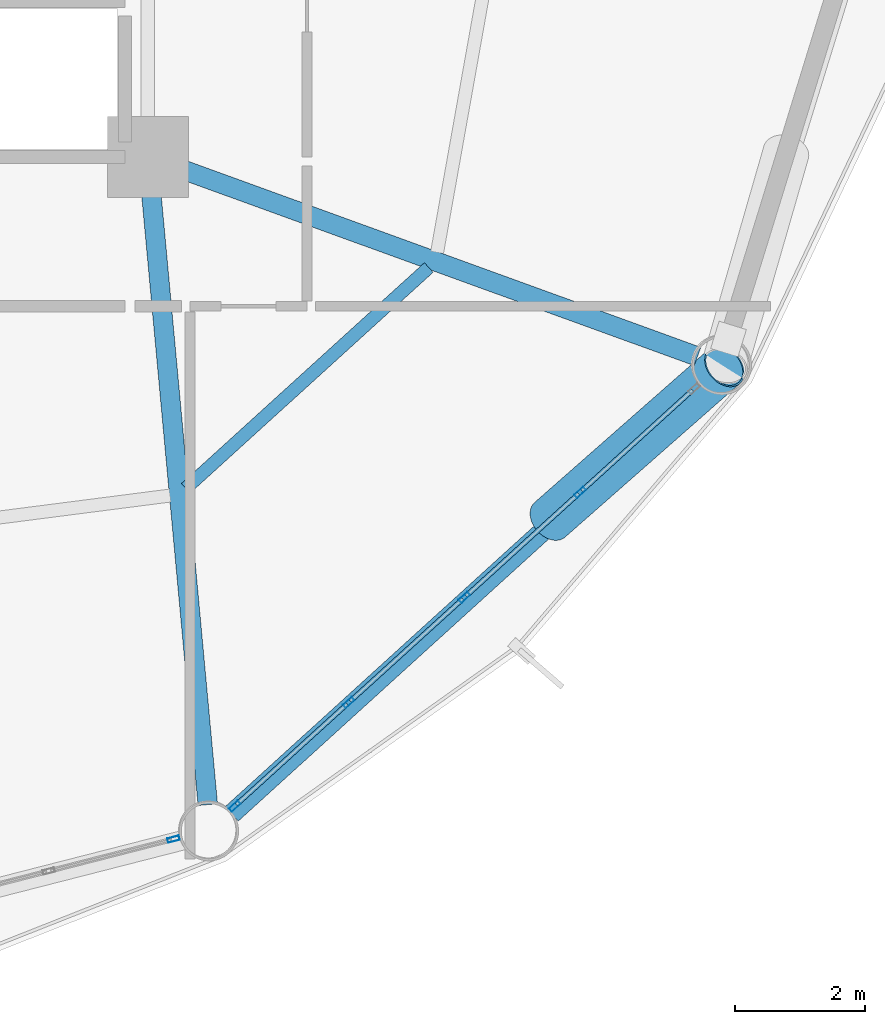
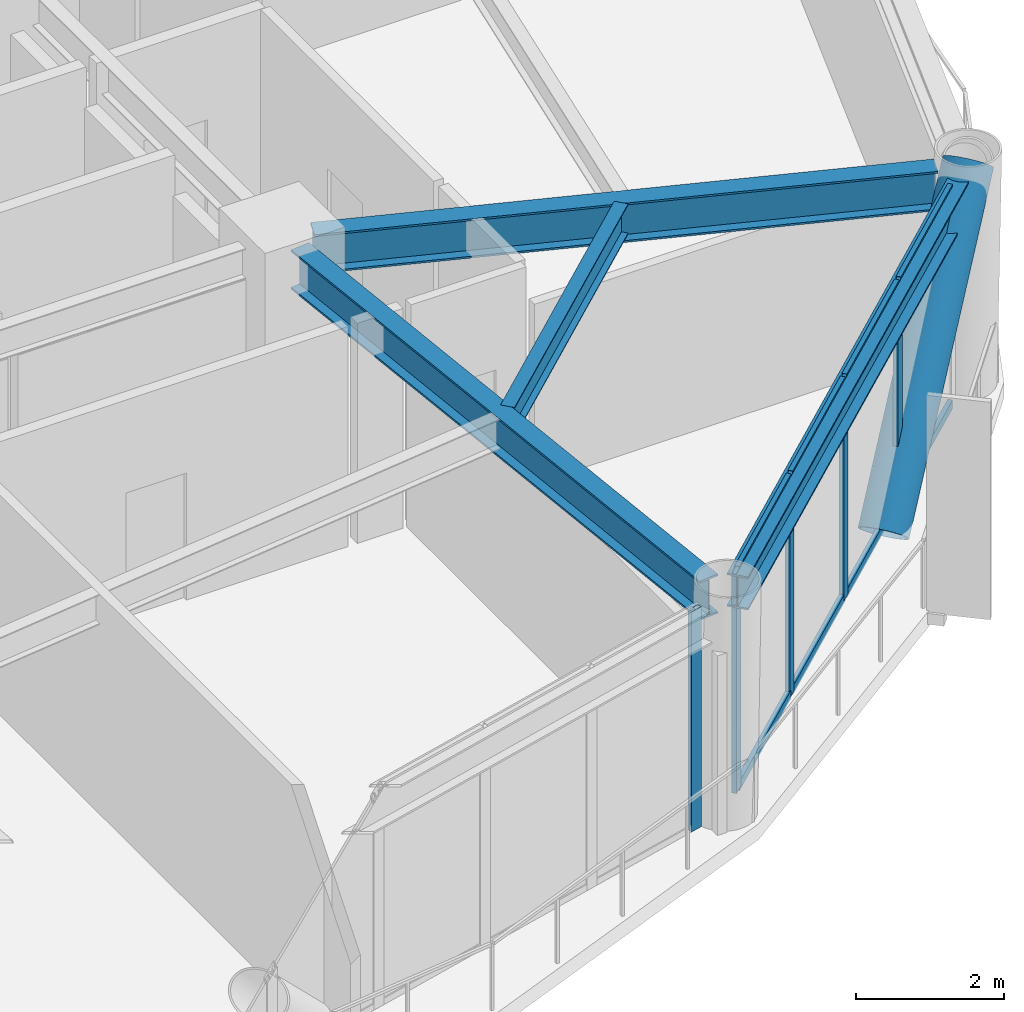
# One storey, part 12 of 25: 14 members, 4 beams, 2 elements without a shape of their own.
"""IFC4 building model written with IfcOpenShell, lengths in metres."""

from ifc_helpers import new_model, si_unit, direction, frame, origin, origin_2d, place, context, subcontext, project, spatial, hollow_rectangle, hollow_circle, i_section, extrude, material, layer, layer_set, material_profile, profile_set, type_object, element, aggregate, save


model = new_model("IFC4")

# Units and contexts
model_context = context("Model", 3, precision=1e-05, world=origin(), true_north=direction((0.0, 1.0)))
body_context = subcontext(model_context, "Body", "Model", "MODEL_VIEW")
ifc_project = project(units=[si_unit("LENGTHUNIT", "METRE"), si_unit("AREAUNIT", "SQUARE_METRE"), si_unit("VOLUMEUNIT", "CUBIC_METRE"), si_unit("PLANEANGLEUNIT", "RADIAN"), si_unit("MASSUNIT", "GRAM", prefix="KILO")], contexts=[model_context])

# Site, building, storey
site_placement = place(None, origin())
site = spatial("IfcSite", under=ifc_project, at=site_placement, CompositionType="ELEMENT")
building_placement = place(site_placement, origin())
building = spatial("IfcBuilding", under=site, at=building_placement, Name="Varnakorn Sky Granary", CompositionType="ELEMENT")
storey_placement = place(building_placement, frame((0.0, 0.0, 70.5)))
storey = spatial("IfcBuildingStorey", under=building, at=storey_placement, Name="L17", CompositionType="ELEMENT", Elevation=70.5)

# Beams
ifc_material_1 = material(Name="Steel S355JR", Category="steel")
ifc_material_profile_1 = material_profile(ifc_material_1, i_section(OverallWidth=0.300048828125, OverallDepth=0.64990234375, WebThickness=0.01611328125, FlangeThickness=0.031005859375, at=origin_2d()), Name="HE 650 B")
ifc_profile_set_1 = profile_set([ifc_material_profile_1], Name="Steel S355JR")
beam_type_1 = type_object("IfcBeamType", Name="BM-RAD-Z1", PredefinedType="BEAM", material=ifc_profile_set_1)
beam_1_placement = place(storey_placement, frame((8.388671875, -7.018310546875, 3.31494140625), z_axis=(0.092123002275, -0.995747634922, 0.0), x_axis=(0.995747634922, 0.092123002275, 0.0)))
element("IfcBeam", 1, at=beam_1_placement, inside=storey, type_object=beam_type_1, Name="Radial Floor Girder RG11 L17", PredefinedType="BEAM", context=body_context, shape_type="SweptSolid", body=[
    extrude(i_section(OverallWidth=0.300048828125, OverallDepth=0.64990234375, WebThickness=0.01611328125, FlangeThickness=0.031005859375, at=origin_2d()), origin(), (0.0, 0.0, 1.0), 9.59619140625),
])
beam_2_placement = place(storey_placement, frame((8.744873046875, -6.743408203125, 3.31494140625), z_axis=(0.939999189662, -0.341176674811, 0.0), x_axis=(0.341176674811, 0.939999189662, 0.0)))
element("IfcBeam", 2, at=beam_2_placement, inside=storey, type_object=beam_type_1, Name="Radial Floor Girder RG12 L17", PredefinedType="BEAM", context=body_context, shape_type="SweptSolid", body=[
    extrude(i_section(OverallWidth=0.300048828125, OverallDepth=0.64990234375, WebThickness=0.01611328125, FlangeThickness=0.031005859375, at=origin_2d()), origin(), (0.0, 0.0, 1.0), 8.584228515625),
])
ifc_material_profile_2 = material_profile(ifc_material_1, i_section(OverallWidth=0.199951171875, OverallDepth=0.5, WebThickness=0.01025390625, FlangeThickness=0.01611328125, at=origin_2d()), Name="IPE 500")
ifc_profile_set_2 = profile_set([ifc_material_profile_2], Name="Steel S355JR")
beam_type_2 = type_object("IfcBeamType", Name="BM-SEC-Z1", PredefinedType="BEAM", material=ifc_profile_set_2)
beam_3_placement = place(storey_placement, frame((8.934326171875, -11.701904296875, 3.389892578125), z_axis=(0.740079908487, 0.672518943268, 0.0), x_axis=(-0.672518943268, 0.740079908487, 0.0)))
element("IfcBeam", 3, at=beam_3_placement, inside=storey, type_object=beam_type_2, Name="Secondary Floor Chord Beam MSB11 L17", PredefinedType="BEAM", context=body_context, shape_type="SweptSolid", body=[
    extrude(i_section(OverallWidth=0.199951171875, OverallDepth=0.5, WebThickness=0.01025390625, FlangeThickness=0.01611328125, at=origin_2d()), origin(), (0.0, 0.0, 1.0), 5.055419921875),
])
ifc_material_profile_3 = material_profile(ifc_material_1, i_section(OverallWidth=0.300048828125, OverallDepth=0.550048828125, WebThickness=0.014892578125, FlangeThickness=0.029052734375, at=origin_2d()), Name="HE 550 B")
ifc_profile_set_3 = profile_set([ifc_material_profile_3], Name="Steel S355JR")
beam_type_3 = type_object("IfcBeamType", Name="BM-SPD-Z1", PredefinedType="SPANDREL", material=ifc_profile_set_3)
beam_4_placement = place(storey_placement, frame((9.640625, -16.716796875, 3.364990234375), z_axis=(0.740187749982, 0.672400248941, 0.0), x_axis=(-0.672400248941, 0.740187749982, 0.0)))
element("IfcBeam", 4, at=beam_4_placement, inside=storey, type_object=beam_type_3, Name="Perimeter Spandrel Ring Beam RB11 L17", PredefinedType="SPANDREL", context=body_context, shape_type="SweptSolid", body=[
    extrude(i_section(OverallWidth=0.300048828125, OverallDepth=0.550048828125, WebThickness=0.014892578125, FlangeThickness=0.029052734375, at=origin_2d()), origin(), (0.0, 0.0, 1.0), 9.810546875),
])

# Curtain wall, member
ifc_material_2 = material(Name="Anodised Bronze Aluminium Alloy 6063-T6", Category="aluminium")
ifc_layer = layer(ifc_material_2, 0.18994140625, Name="Anodised Bronze Aluminium Alloy 6063-T6")
ifc_layer_set = layer_set([ifc_layer], Name="Anodised Bronze Aluminium Alloy 6063-T6")
curtain_wall_type = type_object("IfcCurtainWallType", Name="CW-FRM-1", PredefinedType="USERDEFINED", material=ifc_layer_set)
curtain_wall_1_placement = place(storey_placement, origin())
curtain_wall_1 = element("IfcCurtainWall", 5, at=curtain_wall_1_placement, inside=storey, type_object=curtain_wall_type, Name="Unitised Curtain Wall CW3 CW-L17-B10", ObjectType="CURTAIN WALL", PredefinedType="USERDEFINED")
ifc_material_profile_4 = material_profile(ifc_material_2, hollow_rectangle(XDim=0.070068359375, YDim=0.18505859375, WallThickness=0.00390625, at=origin_2d()), Name="ALU MULL 70x185")
ifc_profile_set_4 = profile_set([ifc_material_profile_4], Name="Anodised Bronze Aluminium Alloy 6063-T6")
member_type_1 = type_object("IfcMemberType", Name="CW-FRM-1-MULL", PredefinedType="MULLION", material=ifc_profile_set_4)
member_1_placement = place(storey_placement, frame((8.744873046875, -17.105712890625, 0.0), z_axis=(0.0, 0.0, 1.0), x_axis=(0.248054256389, -0.968746141095, 0.0)))
member_1 = element("IfcMember", 6, at=member_1_placement, type_object=member_type_1, Name="CW3 mullion 1", PredefinedType="MULLION", context=body_context, shape_type="SweptSolid", body=[
    extrude(hollow_rectangle(XDim=0.070068359375, YDim=0.18505859375, WallThickness=0.00390625, at=origin_2d()), origin(), (0.0, 0.0, 1.0), 3.639892578125),
])
aggregate(curtain_wall_1, [member_1])

# Curtain wall, members
curtain_wall_2_placement = place(storey_placement, origin())
curtain_wall_2 = element("IfcCurtainWall", 7, at=curtain_wall_2_placement, inside=storey, type_object=curtain_wall_type, Name="Unitised Curtain Wall CW3 CW-L17-B11", ObjectType="CURTAIN WALL", PredefinedType="USERDEFINED")
member_2_placement = place(storey_placement, frame((15.006591796875, -11.763916015625, 0.0), z_axis=(0.0, 0.0, 1.0), x_axis=(0.672582331683, -0.740022301764, 0.0)))
member_2 = element("IfcMember", 8, at=member_2_placement, type_object=member_type_1, Name="CW3 mullion 2", PredefinedType="MULLION", context=body_context, shape_type="SweptSolid", body=[
    extrude(hollow_rectangle(XDim=0.070068359375, YDim=0.18505859375, WallThickness=0.00390625, at=origin_2d()), origin(), (0.0, 0.0, 1.0), 3.639892578125),
])
member_3_placement = place(storey_placement, frame((13.22509765625, -13.383056640625, 0.0), z_axis=(0.0, 0.0, 1.0), x_axis=(0.672582331683, -0.740022301764, 0.0)))
member_3 = element("IfcMember", 9, at=member_3_placement, type_object=member_type_1, Name="CW3 mullion 3", PredefinedType="MULLION", context=body_context, shape_type="SweptSolid", body=[
    extrude(hollow_rectangle(XDim=0.070068359375, YDim=0.18505859375, WallThickness=0.00390625, at=origin_2d()), origin(), (0.0, 0.0, 1.0), 3.639892578125),
])
member_4_placement = place(storey_placement, frame((11.443603515625, -15.001953125, 0.0), z_axis=(0.0, 0.0, 1.0), x_axis=(0.672582331683, -0.740022301764, 0.0)))
member_4 = element("IfcMember", 10, at=member_4_placement, type_object=member_type_1, Name="CW3 mullion 4", PredefinedType="MULLION", context=body_context, shape_type="SweptSolid", body=[
    extrude(hollow_rectangle(XDim=0.070068359375, YDim=0.18505859375, WallThickness=0.00390625, at=origin_2d()), origin(), (0.0, 0.0, 1.0), 3.639892578125),
])
member_5_placement = place(storey_placement, frame((9.68798828125, -16.59765625, 0.0), z_axis=(0.0, 0.0, 1.0), x_axis=(0.672582331683, -0.740022301764, 0.0)))
member_5 = element("IfcMember", 11, at=member_5_placement, type_object=member_type_1, Name="CW3 mullion 5", PredefinedType="MULLION", context=body_context, shape_type="SweptSolid", body=[
    extrude(hollow_rectangle(XDim=0.070068359375, YDim=0.18505859375, WallThickness=0.00390625, at=origin_2d()), origin(), (0.0, 0.0, 1.0), 3.639892578125),
])
ifc_material_profile_5 = material_profile(ifc_material_2, hollow_rectangle(XDim=0.070068359375, YDim=0.139892578125, WallThickness=0.00341796875, at=origin_2d()), Name="ALU TRAN 70x140")
ifc_profile_set_5 = profile_set([ifc_material_profile_5], Name="Anodised Bronze Aluminium Alloy 6063-T6")
member_type_2 = type_object("IfcMemberType", Name="CW-FRM-1-TRAN", PredefinedType="USERDEFINED", material=ifc_profile_set_5)
member_6_placement = place(storey_placement, frame((16.736083984375, -10.19189453125, 0.034912109375), z_axis=(-0.740026443975, -0.672577774103, 0.0), x_axis=(0.672577774103, -0.740026443975, 0.0)))
member_6 = element("IfcMember", 12, at=member_6_placement, type_object=member_type_2, Name="CW3 transom 1.1", ObjectType="TRANSOM", PredefinedType="USERDEFINED", context=body_context, shape_type="SweptSolid", body=[
    extrude(hollow_rectangle(XDim=0.070068359375, YDim=0.139892578125, WallThickness=0.00341796875, at=origin_2d()), origin(), (0.0, 0.0, 1.0), 2.302001953125),
])
member_7_placement = place(storey_placement, frame((16.736083984375, -10.19189453125, 3.60498046875), z_axis=(-0.740026443975, -0.672577774103, 0.0), x_axis=(0.672577774103, -0.740026443975, 0.0)))
member_7 = element("IfcMember", 13, at=member_7_placement, type_object=member_type_2, Name="CW3 transom 1.2", ObjectType="TRANSOM", PredefinedType="USERDEFINED", context=body_context, shape_type="SweptSolid", body=[
    extrude(hollow_rectangle(XDim=0.070068359375, YDim=0.139892578125, WallThickness=0.00341796875, at=origin_2d()), origin(), (0.0, 0.0, 1.0), 2.302001953125),
])
member_8_placement = place(storey_placement, frame((14.980712890625, -11.787353515625, 0.034912109375), z_axis=(-0.740039317957, -0.672563608797, 0.0), x_axis=(0.672563608797, -0.740039317957, 0.0)))
member_8 = element("IfcMember", 14, at=member_8_placement, type_object=member_type_2, Name="CW3 transom 2.1", ObjectType="TRANSOM", PredefinedType="USERDEFINED", context=body_context, shape_type="SweptSolid", body=[
    extrude(hollow_rectangle(XDim=0.070068359375, YDim=0.139892578125, WallThickness=0.00341796875, at=origin_2d()), origin(), (0.0, 0.0, 1.0), 2.33740234375),
])
member_9_placement = place(storey_placement, frame((14.980712890625, -11.787353515625, 3.60498046875), z_axis=(-0.740039317957, -0.672563608797, 0.0), x_axis=(0.672563608797, -0.740039317957, 0.0)))
member_9 = element("IfcMember", 15, at=member_9_placement, type_object=member_type_2, Name="CW3 transom 2.2", ObjectType="TRANSOM", PredefinedType="USERDEFINED", context=body_context, shape_type="SweptSolid", body=[
    extrude(hollow_rectangle(XDim=0.070068359375, YDim=0.139892578125, WallThickness=0.00341796875, at=origin_2d()), origin(), (0.0, 0.0, 1.0), 2.33740234375),
])
member_10_placement = place(storey_placement, frame((13.19921875, -13.406494140625, 0.034912109375), z_axis=(-0.740039317957, -0.672563608797, 0.0), x_axis=(0.672563608797, -0.740039317957, 0.0)))
member_10 = element("IfcMember", 16, at=member_10_placement, type_object=member_type_2, Name="CW3 transom 3.1", ObjectType="TRANSOM", PredefinedType="USERDEFINED", context=body_context, shape_type="SweptSolid", body=[
    extrude(hollow_rectangle(XDim=0.070068359375, YDim=0.139892578125, WallThickness=0.00341796875, at=origin_2d()), origin(), (0.0, 0.0, 1.0), 2.33740234375),
])
member_11_placement = place(storey_placement, frame((13.19921875, -13.406494140625, 3.60498046875), z_axis=(-0.740039317957, -0.672563608797, 0.0), x_axis=(0.672563608797, -0.740039317957, 0.0)))
member_11 = element("IfcMember", 17, at=member_11_placement, type_object=member_type_2, Name="CW3 transom 3.2", ObjectType="TRANSOM", PredefinedType="USERDEFINED", context=body_context, shape_type="SweptSolid", body=[
    extrude(hollow_rectangle(XDim=0.070068359375, YDim=0.139892578125, WallThickness=0.00341796875, at=origin_2d()), origin(), (0.0, 0.0, 1.0), 2.33740234375),
])
member_12_placement = place(storey_placement, frame((11.417724609375, -15.025634765625, 0.034912109375), z_axis=(-0.740021633712, -0.67258306672, 0.0), x_axis=(0.67258306672, -0.740021633712, 0.0)))
member_12 = element("IfcMember", 18, at=member_12_placement, type_object=member_type_2, Name="CW3 transom 4.1", ObjectType="TRANSOM", PredefinedType="USERDEFINED", context=body_context, shape_type="SweptSolid", body=[
    extrude(hollow_rectangle(XDim=0.070068359375, YDim=0.139892578125, WallThickness=0.00341796875, at=origin_2d()), origin(), (0.0, 0.0, 1.0), 2.302490234375),
])
member_13_placement = place(storey_placement, frame((11.417724609375, -15.025634765625, 3.60498046875), z_axis=(-0.740021633712, -0.67258306672, 0.0), x_axis=(0.67258306672, -0.740021633712, 0.0)))
member_13 = element("IfcMember", 19, at=member_13_placement, type_object=member_type_2, Name="CW3 transom 4.2", ObjectType="TRANSOM", PredefinedType="USERDEFINED", context=body_context, shape_type="SweptSolid", body=[
    extrude(hollow_rectangle(XDim=0.070068359375, YDim=0.139892578125, WallThickness=0.00341796875, at=origin_2d()), origin(), (0.0, 0.0, 1.0), 2.302490234375),
])
aggregate(curtain_wall_2, [member_2, member_3, member_4, member_5, member_6, member_7, member_8, member_9, member_10, member_11, member_12, member_13])

# Member
ifc_material_3 = material(Name="Steel S460M", Category="steel")
ifc_material_profile_6 = material_profile(ifc_material_3, hollow_circle(Radius=0.35546875, WallThickness=0.02490234375, at=origin_2d()), Name="CHS 711x25")
ifc_profile_set_6 = profile_set([ifc_material_profile_6], Name="Steel S460M")
member_type_3 = type_object("IfcMemberType", Name="MB-DIAG-T0", PredefinedType="BRACE", material=ifc_profile_set_6)
member_14_placement = place(storey_placement, frame((14.540283203125, -12.1875, -0.1298828125), z_axis=(0.517213716448, 0.454763036205, 0.725038311001), x_axis=(-0.660312762836, 0.750990715812, 0.0)))
element("IfcMember", 20, at=member_14_placement, inside=storey, type_object=member_type_3, Name="Perimeter CHS Diagrid Brace DG11 L17", PredefinedType="BRACE", context=body_context, shape_type="SweptSolid", body=[
    extrude(hollow_circle(Radius=0.35546875, WallThickness=0.02490234375, at=origin_2d()), origin(), (0.0, 0.0, 1.0), 5.199462890625),
])

save(model, "model.ifc")
